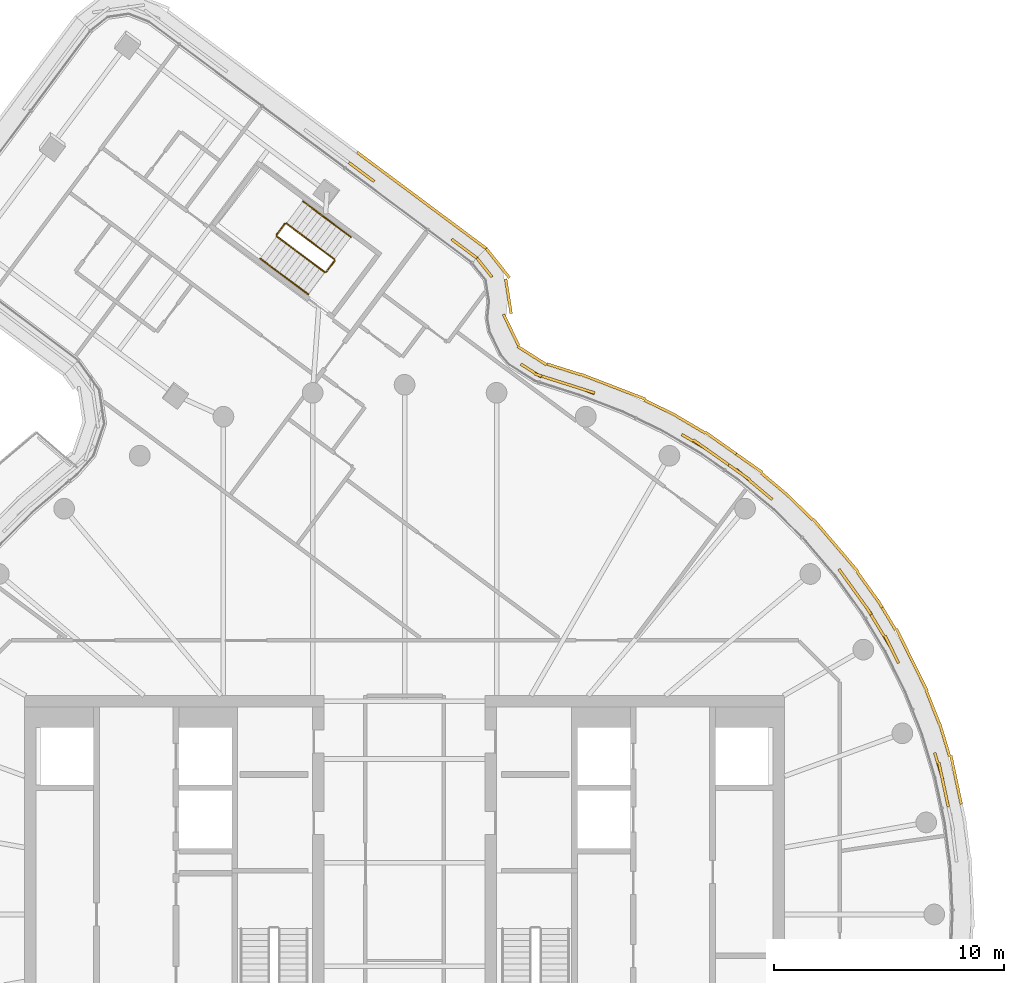
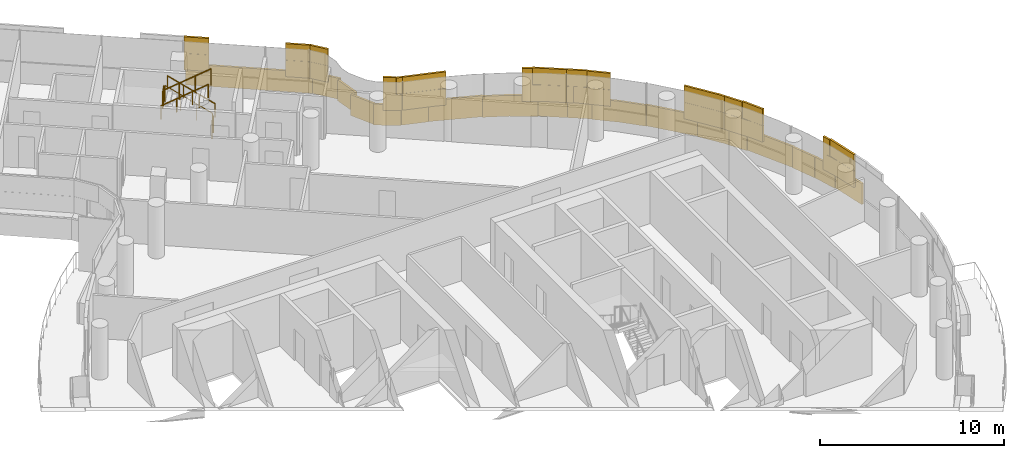
# One storey, part 26 of 27: 6 railings, 5 coverings.
"""IFC4 building model written with IfcOpenShell, lengths in metres."""

from ifc_helpers import new_model, si_unit, direction, frame, origin, origin_2d, place, context, subcontext, project, spatial, rectangle, circle, extrude, material, layer, layer_set, type_object, element, save


model = new_model("IFC4")

# Units and contexts
model_context = context("Model", 3, precision=1e-05, world=origin(), true_north=direction((0.0, 1.0)))
body_context = subcontext(model_context, "Body", "Model", "MODEL_VIEW")
ifc_project = project(units=[si_unit("LENGTHUNIT", "METRE"), si_unit("AREAUNIT", "SQUARE_METRE"), si_unit("VOLUMEUNIT", "CUBIC_METRE"), si_unit("PLANEANGLEUNIT", "RADIAN"), si_unit("MASSUNIT", "GRAM", prefix="KILO")], contexts=[model_context])

# Site, building, storey
site_placement = place(None, origin())
site = spatial("IfcSite", under=ifc_project, at=site_placement, CompositionType="ELEMENT")
building_placement = place(site_placement, origin())
building = spatial("IfcBuilding", under=site, at=building_placement, Name="Tamarind Cross Interchange Tower", CompositionType="ELEMENT")
storey_placement = place(building_placement, frame((0.0, 0.0, 227.10009765625)))
storey = spatial("IfcBuildingStorey", under=building, at=storey_placement, Name="L57", CompositionType="ELEMENT", Elevation=227.10009765625)

# Railings
ifc_material_1 = material(Name="Stair guard")
railing_type_1 = type_object("IfcRailingType", Name="Stair guard", PredefinedType="GUARDRAIL", material=ifc_material_1)
railing_1_placement = place(storey_placement, frame((-3.04736328125, 28.451904296875, 0.16357421875)))
element("IfcRailing", 1, at=railing_1_placement, inside=storey, type_object=railing_type_1, Name="L57 ST4 stair guard 1", PredefinedType="GUARDRAIL", context=body_context, shape_type="SweptSolid", body=[
    extrude(circle(Radius=0.02392578125, at=origin_2d()), frame((0.0, 0.0, 1.076171875), z_axis=(-0.678473827572, 0.505934682713, 0.532638115542), x_axis=(-0.597789105264, -0.80165340742, 0.0)), (0.0, 0.0, 1.0), 3.072021484375),
    extrude(circle(Radius=0.02099609375, at=origin_2d()), origin(), (0.0, 0.0, 1.0), 1.052001953125),
    extrude(circle(Radius=0.02099609375, at=origin_2d()), frame((-0.69482421875, 0.51806640625, 0.54541015625)), (0.0, 0.0, 1.0), 1.052001953125),
    extrude(circle(Radius=0.02099609375, at=origin_2d()), frame((-1.389404296875, 1.0361328125, 1.0908203125)), (0.0, 0.0, 1.0), 1.052001953125),
    extrude(circle(Radius=0.02099609375, at=origin_2d()), frame((-2.084228515625, 1.55419921875, 1.63623046875)), (0.0, 0.0, 1.0), 1.052001953125),
])
railing_2_placement = place(storey_placement, frame((-5.20166015625, 29.99609375, 1.7998046875)))
element("IfcRailing", 2, at=railing_2_placement, inside=storey, type_object=railing_type_1, Name="L57 ST4 stair guard 2", PredefinedType="GUARDRAIL", context=body_context, shape_type="SweptSolid", body=[
    extrude(circle(Radius=0.02392578125, at=origin_2d()), frame((0.0, 0.0, 1.076171875), z_axis=(-0.597783989529, -0.801657222173, 0.0), x_axis=(0.801657222173, -0.597783989529, 0.0)), (0.0, 0.0, 1.0), 0.599853515625),
    extrude(circle(Radius=0.02099609375, at=origin_2d()), origin(), (0.0, 0.0, 1.0), 1.052001953125),
    extrude(circle(Radius=0.02099609375, at=origin_2d()), frame((-0.358642578125, -0.48095703125, 0.0)), (0.0, 0.0, 1.0), 1.052001953125),
])
railing_3_placement = place(storey_placement, frame((-5.550048828125, 29.445068359375, 1.963623046875)))
element("IfcRailing", 3, at=railing_3_placement, inside=storey, type_object=railing_type_1, Name="L57 ST4 stair guard 3", PredefinedType="GUARDRAIL", context=body_context, shape_type="SweptSolid", body=[
    extrude(circle(Radius=0.02392578125, at=origin_2d()), frame((0.0, 0.0, 1.076171875), z_axis=(0.678446546383, -0.505993810568, 0.532616698355), x_axis=(0.597849447038, 0.801608407314, 0.0)), (0.0, 0.0, 1.0), 3.072021484375),
    extrude(circle(Radius=0.02099609375, at=origin_2d()), origin(), (0.0, 0.0, 1.0), 1.052001953125),
    extrude(circle(Radius=0.02099609375, at=origin_2d()), frame((0.69482421875, -0.51806640625, 0.54541015625)), (0.0, 0.0, 1.0), 1.052001953125),
    extrude(circle(Radius=0.02099609375, at=origin_2d()), frame((1.389404296875, -1.036376953125, 1.0908203125)), (0.0, 0.0, 1.0), 1.052001953125),
    extrude(circle(Radius=0.02099609375, at=origin_2d()), frame((2.084228515625, -1.554443359375, 1.63623046875)), (0.0, 0.0, 1.0), 1.052001953125),
])
railing_4_placement = place(storey_placement, frame((-3.037353515625, 28.3818359375, 0.0)))
element("IfcRailing", 4, at=railing_4_placement, inside=storey, type_object=railing_type_1, Name="L57 ST4 stair guard 4", PredefinedType="GUARDRAIL", context=body_context, shape_type="SweptSolid", body=[
    extrude(circle(Radius=0.02392578125, at=origin_2d()), frame((0.0, 0.0, 1.076171875), z_axis=(-0.597783989529, -0.801657222173, 0.0), x_axis=(0.801657222173, -0.597783989529, 0.0)), (0.0, 0.0, 1.0), 0.599853515625),
    extrude(circle(Radius=0.02099609375, at=origin_2d()), origin(), (0.0, 0.0, 1.0), 1.052001953125),
    extrude(circle(Radius=0.02099609375, at=origin_2d()), frame((-0.358642578125, -0.48095703125, 0.0)), (0.0, 0.0, 1.0), 1.052001953125),
])
ifc_material_2 = material(Name="Stair handrail")
railing_type_2 = type_object("IfcRailingType", Name="Stair handrail", PredefinedType="HANDRAIL", material=ifc_material_2)
railing_5_placement = place(storey_placement, frame((-2.330078125, 29.413818359375, 0.16357421875)))
element("IfcRailing", 5, at=railing_5_placement, inside=storey, type_object=railing_type_2, Name="L57 ST4 stair handrail 1", PredefinedType="HANDRAIL", context=body_context, shape_type="SweptSolid", body=[
    extrude(circle(Radius=0.02392578125, at=origin_2d()), frame((0.0, 0.0, 0.8759765625), z_axis=(-0.678473827572, 0.505934682713, 0.532638115542), x_axis=(-0.597789105264, -0.80165340742, 0.0)), (0.0, 0.0, 1.0), 3.072021484375),
    extrude(circle(Radius=0.02099609375, at=origin_2d()), origin(), (0.0, 0.0, 1.0), 0.851806640625),
    extrude(circle(Radius=0.02099609375, at=origin_2d()), frame((-0.69482421875, 0.51806640625, 0.54541015625)), (0.0, 0.0, 1.0), 0.851806640625),
    extrude(circle(Radius=0.02099609375, at=origin_2d()), frame((-1.389404296875, 1.0361328125, 1.0908203125)), (0.0, 0.0, 1.0), 0.851806640625),
    extrude(circle(Radius=0.02099609375, at=origin_2d()), frame((-2.084228515625, 1.55419921875, 1.63623046875)), (0.0, 0.0, 1.0), 0.851806640625),
])
railing_6_placement = place(storey_placement, frame((-6.267578125, 28.483154296875, 1.963623046875)))
element("IfcRailing", 6, at=railing_6_placement, inside=storey, type_object=railing_type_2, Name="L57 ST4 stair handrail 2", PredefinedType="HANDRAIL", context=body_context, shape_type="SweptSolid", body=[
    extrude(circle(Radius=0.02392578125, at=origin_2d()), frame((0.0, 0.0, 0.8759765625), z_axis=(0.678446546383, -0.505993810568, 0.532616698355), x_axis=(0.597849447038, 0.801608407314, 0.0)), (0.0, 0.0, 1.0), 3.072021484375),
    extrude(circle(Radius=0.02099609375, at=origin_2d()), origin(), (0.0, 0.0, 1.0), 0.851806640625),
    extrude(circle(Radius=0.02099609375, at=origin_2d()), frame((0.69482421875, -0.51806640625, 0.54541015625)), (0.0, 0.0, 1.0), 0.851806640625),
    extrude(circle(Radius=0.02099609375, at=origin_2d()), frame((1.389404296875, -1.036376953125, 1.0908203125)), (0.0, 0.0, 1.0), 0.851806640625),
    extrude(circle(Radius=0.02099609375, at=origin_2d()), frame((2.084228515625, -1.554443359375, 1.63623046875)), (0.0, 0.0, 1.0), 0.851806640625),
])

# Coverings
ifc_material_3 = material(Name="Terracotta", Category="masonry")
ifc_layer = layer(ifc_material_3, 0.1201171875)
ifc_layer_set = layer_set([ifc_layer], Name="Terracotta")
covering_type = type_object("IfcCoveringType", Name="Terracotta baguette screen unit", PredefinedType="MOLDING", material=ifc_layer_set)
covering_1_placement = place(storey_placement, origin())
element("IfcCovering", 7, at=covering_1_placement, inside=storey, type_object=covering_type, Name="SCR-L57-02-07", PredefinedType="MOLDING", context=body_context, shape_type="SweptSolid", body=[
    extrude(rectangle(XDim=1.20947265625, YDim=0.1201171875, at=origin_2d()), frame((23.484130859375, 5.262939453125, 1.40380859375), z_axis=(0.0, 0.0, 1.0), x_axis=(-0.209425419705, 0.977824623121, 0.0)), (0.0, 0.0, 1.0), 1.092041015625),
    extrude(rectangle(XDim=1.232177734375, YDim=0.1201171875, at=origin_2d()), frame((23.195068359375, 6.437744140625, 1.40380859375), z_axis=(0.0, 0.0, 1.0), x_axis=(-0.289458243079, 0.957190642199, 0.0)), (0.0, 0.0, 1.0), 1.092041015625),
    extrude(rectangle(XDim=0.587646484375, YDim=0.1201171875, at=origin_2d()), frame((21.323486328125, 11.17041015625, 1.40380859375), z_axis=(0.0, 0.0, 1.0), x_axis=(-0.443058811505, 0.896492548518, 0.0)), (0.0, 0.0, 1.0), 1.092041015625),
    extrude(rectangle(XDim=1.52001953125, YDim=0.1201171875, at=origin_2d()), frame((20.81884765625, 12.07763671875, 1.40380859375), z_axis=(0.0, 0.0, 1.0), x_axis=(-0.515577308909, 0.856843065292, 0.0)), (0.0, 0.0, 1.0), 1.092041015625),
    extrude(rectangle(XDim=0.35400390625, YDim=0.1201171875, at=origin_2d()), frame((20.343505859375, 12.86767578125, 1.40380859375), z_axis=(0.0, 0.0, 1.0), x_axis=(-0.515577308909, 0.856843065292, 0.0)), (0.0, 0.0, 1.0), 1.092041015625),
    extrude(rectangle(XDim=0.45947265625, YDim=0.1201171875, at=origin_2d()), frame((23.5625, 4.896240234375, 2.50390625), z_axis=(0.0, 0.0, 1.0), x_axis=(-0.209425419705, 0.977824623121, 0.0)), (0.0, 0.0, 1.0), 1.092041015625),
    extrude(rectangle(XDim=1.52001953125, YDim=0.1201171875, at=origin_2d()), frame((23.3583984375, 5.849365234375, 2.50390625), z_axis=(0.0, 0.0, 1.0), x_axis=(-0.209425419705, 0.977824623121, 0.0)), (0.0, 0.0, 1.0), 1.092041015625),
    extrude(rectangle(XDim=0.482177734375, YDim=0.1201171875, at=origin_2d()), frame((23.08642578125, 6.796630859375, 2.50390625), z_axis=(0.0, 0.0, 1.0), x_axis=(-0.289458243079, 0.957190642199, 0.0)), (0.0, 0.0, 1.0), 1.092041015625),
    extrude(rectangle(XDim=1.337646484375, YDim=0.1201171875, at=origin_2d()), frame((21.1572265625, 11.506591796875, 2.50390625), z_axis=(0.0, 0.0, 1.0), x_axis=(-0.443058811505, 0.896492548518, 0.0)), (0.0, 0.0, 1.0), 1.092041015625),
    extrude(rectangle(XDim=1.10400390625, YDim=0.1201171875, at=origin_2d()), frame((20.536865234375, 12.54638671875, 2.50390625), z_axis=(0.0, 0.0, 1.0), x_axis=(-0.515577308909, 0.856843065292, 0.0)), (0.0, 0.0, 1.0), 1.092041015625),
    extrude(rectangle(XDim=0.6533203125, YDim=0.1201171875, at=origin_2d()), frame((24.104248046875, 5.107421875, 0.00390625), z_axis=(0.0, 0.0, 1.0), x_axis=(-0.209425419705, 0.977824623121, 0.0)), (0.0, 0.0, 1.0), 1.39208984375),
    extrude(rectangle(XDim=1.52001953125, YDim=0.1201171875, at=origin_2d()), frame((23.880859375, 6.150390625, 0.00390625), z_axis=(0.0, 0.0, 1.0), x_axis=(-0.209425419705, 0.977824623121, 0.0)), (0.0, 0.0, 1.0), 1.39208984375),
    extrude(rectangle(XDim=1.52001953125, YDim=0.1201171875, at=origin_2d()), frame((23.447265625, 7.58642578125, 0.00390625), z_axis=(0.0, 0.0, 1.0), x_axis=(-0.289458243079, 0.957190642199, 0.0)), (0.0, 0.0, 1.0), 1.39208984375),
    extrude(rectangle(XDim=1.52001953125, YDim=0.1201171875, at=origin_2d()), frame((22.9384765625, 8.996337890625, 0.00390625), z_axis=(0.0, 0.0, 1.0), x_axis=(-0.367513773146, 0.930018078613, 0.0)), (0.0, 0.0, 1.0), 1.39208984375),
    extrude(rectangle(XDim=1.52001953125, YDim=0.1201171875, at=origin_2d()), frame((22.355712890625, 10.377197265625, 0.00390625), z_axis=(0.0, 0.0, 1.0), x_axis=(-0.443058811505, 0.896492548518, 0.0)), (0.0, 0.0, 1.0), 1.39208984375),
    extrude(rectangle(XDim=1.52001953125, YDim=0.1201171875, at=origin_2d()), frame((21.691162109375, 11.721923828125, 0.00390625), z_axis=(0.0, 0.0, 1.0), x_axis=(-0.443058811505, 0.896492548518, 0.0)), (0.0, 0.0, 1.0), 1.39208984375),
    extrude(rectangle(XDim=1.125732421875, YDim=0.1201171875, at=origin_2d()), frame((21.028076171875, 12.84326171875, 0.00390625), z_axis=(0.0, 0.0, 1.0), x_axis=(-0.515577308909, 0.856843065292, 0.0)), (0.0, 0.0, 1.0), 1.39208984375),
])
covering_2_placement = place(storey_placement, origin())
element("IfcCovering", 8, at=covering_2_placement, inside=storey, type_object=covering_type, Name="SCR-L57-02-08", PredefinedType="MOLDING", context=body_context, shape_type="SweptSolid", body=[
    extrude(rectangle(XDim=1.166015625, YDim=0.1201171875, at=origin_2d()), frame((19.936767578125, 13.4970703125, 1.40380859375), z_axis=(0.0, 0.0, 1.0), x_axis=(-0.584573890505, 0.811340475102, 0.0)), (0.0, 0.0, 1.0), 1.092041015625),
    extrude(rectangle(XDim=1.275390625, YDim=0.1201171875, at=origin_2d()), frame((19.22900390625, 14.479248046875, 1.40380859375), z_axis=(0.0, 0.0, 1.0), x_axis=(-0.584573890505, 0.811340475102, 0.0)), (0.0, 0.0, 1.0), 1.092041015625),
    extrude(rectangle(XDim=0.544677734375, YDim=0.1201171875, at=origin_2d()), frame((15.754150390625, 18.19580078125, 1.40380859375), z_axis=(0.0, 0.0, 1.0), x_axis=(-0.765858396687, 0.643009266048, 0.0)), (0.0, 0.0, 1.0), 1.092041015625),
    extrude(rectangle(XDim=1.52001953125, YDim=0.1201171875, at=origin_2d()), frame((14.974853515625, 18.85009765625, 1.40380859375), z_axis=(0.0, 0.0, 1.0), x_axis=(-0.765858396687, 0.643009266048, 0.0)), (0.0, 0.0, 1.0), 1.092041015625),
    extrude(rectangle(XDim=0.396728515625, YDim=0.1201171875, at=origin_2d()), frame((14.22216796875, 19.417236328125, 1.40380859375), z_axis=(0.0, 0.0, 1.0), x_axis=(-0.816341886298, 0.577568978284, 0.0)), (0.0, 0.0, 1.0), 1.092041015625),
    extrude(rectangle(XDim=0.416015625, YDim=0.1201171875, at=origin_2d()), frame((20.150146484375, 13.18896484375, 2.50390625), z_axis=(0.0, 0.0, 1.0), x_axis=(-0.515577308909, 0.856843065292, 0.0)), (0.0, 0.0, 1.0), 1.092041015625),
    extrude(rectangle(XDim=1.52001953125, YDim=0.1201171875, at=origin_2d()), frame((19.598876953125, 13.9658203125, 2.50390625), z_axis=(0.0, 0.0, 1.0), x_axis=(-0.584573890505, 0.811340475102, 0.0)), (0.0, 0.0, 1.0), 1.092041015625),
    extrude(rectangle(XDim=0.525390625, YDim=0.1201171875, at=origin_2d()), frame((19.009765625, 14.783447265625, 2.50390625), z_axis=(0.0, 0.0, 1.0), x_axis=(-0.584573890505, 0.811340475102, 0.0)), (0.0, 0.0, 1.0), 1.092041015625),
    extrude(rectangle(XDim=1.294677734375, YDim=0.1201171875, at=origin_2d()), frame((15.466796875, 18.43701171875, 2.50390625), z_axis=(0.0, 0.0, 1.0), x_axis=(-0.765858396687, 0.643009266048, 0.0)), (0.0, 0.0, 1.0), 1.092041015625),
    extrude(rectangle(XDim=1.146728515625, YDim=0.1201171875, at=origin_2d()), frame((14.5283203125, 19.20068359375, 2.50390625), z_axis=(0.0, 0.0, 1.0), x_axis=(-0.816341886298, 0.577568978284, 0.0)), (0.0, 0.0, 1.0), 1.092041015625),
    extrude(rectangle(XDim=0.394287109375, YDim=0.1201171875, at=origin_2d()), frame((20.63623046875, 13.494384765625, 0.00390625), z_axis=(0.0, 0.0, 1.0), x_axis=(-0.515577308909, 0.856843065292, 0.0)), (0.0, 0.0, 1.0), 1.39208984375),
    extrude(rectangle(XDim=1.52001953125, YDim=0.1201171875, at=origin_2d()), frame((20.09521484375, 14.259033203125, 0.00390625), z_axis=(0.0, 0.0, 1.0), x_axis=(-0.584573890505, 0.811340475102, 0.0)), (0.0, 0.0, 1.0), 1.39208984375),
    extrude(rectangle(XDim=1.52001953125, YDim=0.1201171875, at=origin_2d()), frame((19.198486328125, 15.460693359375, 0.00390625), z_axis=(0.0, 0.0, 1.0), x_axis=(-0.64957723968, 0.760295606781, 0.0)), (0.0, 0.0, 1.0), 1.39208984375),
    extrude(rectangle(XDim=1.52001953125, YDim=0.1201171875, at=origin_2d()), frame((18.22412109375, 16.60107421875, 0.00390625), z_axis=(0.0, 0.0, 1.0), x_axis=(-0.64957723968, 0.760295606781, 0.0)), (0.0, 0.0, 1.0), 1.39208984375),
    extrude(rectangle(XDim=1.52001953125, YDim=0.1201171875, at=origin_2d()), frame((17.17333984375, 17.67041015625, 0.00390625), z_axis=(0.0, 0.0, 1.0), x_axis=(-0.710143317658, 0.704057148523, 0.0)), (0.0, 0.0, 1.0), 1.39208984375),
    extrude(rectangle(XDim=1.52001953125, YDim=0.1201171875, at=origin_2d()), frame((16.067626953125, 18.68212890625, 0.00390625), z_axis=(0.0, 0.0, 1.0), x_axis=(-0.765858396687, 0.643009266048, 0.0)), (0.0, 0.0, 1.0), 1.39208984375),
    extrude(rectangle(XDim=1.384033203125, YDim=0.1201171875, at=origin_2d()), frame((14.96484375, 19.594970703125, 0.00390625), z_axis=(0.0, 0.0, 1.0), x_axis=(-0.816341886298, 0.577568978284, 0.0)), (0.0, 0.0, 1.0), 1.39208984375),
])
covering_3_placement = place(storey_placement, origin())
element("IfcCovering", 9, at=covering_3_placement, inside=storey, type_object=covering_type, Name="SCR-L57-02-09", PredefinedType="MOLDING", context=body_context, shape_type="SweptSolid", body=[
    extrude(rectangle(XDim=1.123291015625, YDim=0.1201171875, at=origin_2d()), frame((13.60986328125, 19.850341796875, 1.40380859375), z_axis=(0.0, 0.0, 1.0), x_axis=(-0.816341886298, 0.577568978284, 0.0)), (0.0, 0.0, 1.0), 1.092041015625),
    extrude(rectangle(XDim=1.31005859375, YDim=0.1201171875, at=origin_2d()), frame((12.599609375, 20.508056640625, 1.40380859375), z_axis=(0.0, 0.0, 1.0), x_axis=(-0.861248933065, 0.508183308752, 0.0)), (0.0, 0.0, 1.0), 1.092041015625),
    extrude(rectangle(XDim=0.510009765625, YDim=0.1201171875, at=origin_2d()), frame((8.00830078125, 22.704345703125, 1.40380859375), z_axis=(0.0, 0.0, 1.0), x_axis=(-0.933153439219, 0.359478314887, 0.0)), (0.0, 0.0, 1.0), 1.092041015625),
    extrude(rectangle(XDim=1.52001953125, YDim=0.1201171875, at=origin_2d()), frame((7.061279296875, 23.024169921875, 1.40380859375), z_axis=(0.0, 0.0, 1.0), x_axis=(-0.953132801857, 0.302552246767, 0.0)), (0.0, 0.0, 1.0), 1.092041015625),
    extrude(rectangle(XDim=0.42333984375, YDim=0.1201171875, at=origin_2d()), frame((6.1494140625, 23.313720703125, 1.40380859375), z_axis=(0.0, 0.0, 1.0), x_axis=(-0.953132801857, 0.302552246767, 0.0)), (0.0, 0.0, 1.0), 1.092041015625),
    extrude(rectangle(XDim=0.373291015625, YDim=0.1201171875, at=origin_2d()), frame((13.916015625, 19.6337890625, 2.50390625), z_axis=(0.0, 0.0, 1.0), x_axis=(-0.816341886298, 0.577568978284, 0.0)), (0.0, 0.0, 1.0), 1.092041015625),
    extrude(rectangle(XDim=1.52001953125, YDim=0.1201171875, at=origin_2d()), frame((13.155517578125, 20.171875, 2.50390625), z_axis=(0.0, 0.0, 1.0), x_axis=(-0.816341886298, 0.577568978284, 0.0)), (0.0, 0.0, 1.0), 1.092041015625),
    extrude(rectangle(XDim=0.56005859375, YDim=0.1201171875, at=origin_2d()), frame((12.276611328125, 20.69873046875, 2.50390625), z_axis=(0.0, 0.0, 1.0), x_axis=(-0.861248933065, 0.508183308752, 0.0)), (0.0, 0.0, 1.0), 1.092041015625),
    extrude(rectangle(XDim=1.260009765625, YDim=0.1201171875, at=origin_2d()), frame((7.656982421875, 22.835205078125, 2.50390625), z_axis=(0.0, 0.0, 1.0), x_axis=(-0.953132801857, 0.302552246767, 0.0)), (0.0, 0.0, 1.0), 1.092041015625),
    extrude(rectangle(XDim=1.17333984375, YDim=0.1201171875, at=origin_2d()), frame((6.5068359375, 23.2001953125, 2.50390625), z_axis=(0.0, 0.0, 1.0), x_axis=(-0.953132801857, 0.302552246767, 0.0)), (0.0, 0.0, 1.0), 1.092041015625),
    extrude(rectangle(XDim=0.135986328125, YDim=0.1201171875, at=origin_2d()), frame((14.34423828125, 20.033935546875, 0.00390625), z_axis=(0.0, 0.0, 1.0), x_axis=(-0.816341886298, 0.577568978284, 0.0)), (0.0, 0.0, 1.0), 1.39208984375),
    extrude(rectangle(XDim=1.52001953125, YDim=0.1201171875, at=origin_2d()), frame((13.684814453125, 20.500732421875, 0.00390625), z_axis=(0.0, 0.0, 1.0), x_axis=(-0.816341886298, 0.577568978284, 0.0)), (0.0, 0.0, 1.0), 1.39208984375),
    extrude(rectangle(XDim=1.52001953125, YDim=0.1201171875, at=origin_2d()), frame((12.40869140625, 21.287353515625, 0.00390625), z_axis=(0.0, 0.0, 1.0), x_axis=(-0.861248933065, 0.508183308752, 0.0)), (0.0, 0.0, 1.0), 1.39208984375),
    extrude(rectangle(XDim=1.52001953125, YDim=0.1201171875, at=origin_2d()), frame((11.0927734375, 22.0048828125, 0.00390625), z_axis=(0.0, 0.0, 1.0), x_axis=(-0.900272776334, 0.435326231914, 0.0)), (0.0, 0.0, 1.0), 1.39208984375),
    extrude(rectangle(XDim=1.52001953125, YDim=0.1201171875, at=origin_2d()), frame((9.739990234375, 22.65234375, 0.00390625), z_axis=(0.0, 0.0, 1.0), x_axis=(-0.933153439219, 0.359478314887, 0.0)), (0.0, 0.0, 1.0), 1.39208984375),
    extrude(rectangle(XDim=1.52001953125, YDim=0.1201171875, at=origin_2d()), frame((8.34033203125, 23.191650390625, 0.00390625), z_axis=(0.0, 0.0, 1.0), x_axis=(-0.933153439219, 0.359478314887, 0.0)), (0.0, 0.0, 1.0), 1.39208984375),
    extrude(rectangle(XDim=1.52001953125, YDim=0.1201171875, at=origin_2d()), frame((6.919677734375, 23.67138671875, 0.00390625), z_axis=(0.0, 0.0, 1.0), x_axis=(-0.953132801857, 0.302552246767, 0.0)), (0.0, 0.0, 1.0), 1.39208984375),
])
covering_4_placement = place(storey_placement, origin())
element("IfcCovering", 10, at=covering_4_placement, inside=storey, type_object=covering_type, Name="SCR-L57-02-10", PredefinedType="MOLDING", context=body_context, shape_type="SweptSolid", body=[
    extrude(rectangle(XDim=1.046630859375, YDim=0.1201171875, at=origin_2d()), frame((5.491943359375, 23.616455078125, 1.40380859375), z_axis=(0.0, 0.0, 1.0), x_axis=(-0.844252409429, 0.53594577074, 0.0)), (0.0, 0.0, 1.0), 1.092041015625),
    extrude(rectangle(XDim=0.349853515625, YDim=0.1201171875, at=origin_2d()), frame((3.684814453125, 27.8173828125, 1.40380859375), z_axis=(0.0, 0.0, 1.0), x_axis=(-0.622516771537, 0.782606458672, 0.0)), (0.0, 0.0, 1.0), 1.092041015625),
    extrude(rectangle(XDim=0.716796875, YDim=0.1201171875, at=origin_2d()), frame((3.35888671875, 28.22705078125, 1.40380859375), z_axis=(0.0, 0.0, 1.0), x_axis=(-0.622516771537, 0.782606458672, 0.0)), (0.0, 0.0, 1.0), 1.092041015625),
    extrude(rectangle(XDim=0.3466796875, YDim=0.1201171875, at=origin_2d()), frame((5.7919921875, 23.42724609375, 2.50390625), z_axis=(0.0, 0.0, 1.0), x_axis=(-0.953132801857, 0.302552246767, 0.0)), (0.0, 0.0, 1.0), 1.092041015625),
    extrude(rectangle(XDim=0.719970703125, YDim=0.1201171875, at=origin_2d()), frame((5.349609375, 23.70654296875, 2.50390625), z_axis=(0.0, 0.0, 1.0), x_axis=(-0.844252409429, 0.53594577074, 0.0)), (0.0, 0.0, 1.0), 1.092041015625),
    extrude(rectangle(XDim=1.046630859375, YDim=0.1201171875, at=origin_2d()), frame((3.46484375, 28.093994140625, 2.50390625), z_axis=(0.0, 0.0, 1.0), x_axis=(-0.622516771537, 0.782606458672, 0.0)), (0.0, 0.0, 1.0), 1.092041015625),
    extrude(rectangle(XDim=1.4970703125, YDim=0.1201171875, at=origin_2d()), frame((5.542236328125, 24.26416015625, 0.00390625), z_axis=(0.0, 0.0, 1.0), x_axis=(-0.844252409429, 0.53594577074, 0.0)), (0.0, 0.0, 1.0), 1.39208984375),
    extrude(rectangle(XDim=1.52001953125, YDim=0.1201171875, at=origin_2d()), frame((4.62353515625, 25.38134765625, 0.00390625), z_axis=(0.0, 0.0, 1.0), x_axis=(-0.436316204001, 0.899793404136, 0.0)), (0.0, 0.0, 1.0), 1.39208984375),
    extrude(rectangle(XDim=1.52001953125, YDim=0.1201171875, at=origin_2d()), frame((4.5078125, 26.847412109375, 0.00390625), z_axis=(0.0, 0.0, 1.0), x_axis=(-0.155242640937, 0.987876370015, 0.0)), (0.0, 0.0, 1.0), 1.39208984375),
    extrude(rectangle(XDim=1.52001953125, YDim=0.1201171875, at=origin_2d()), frame((4.07958984375, 28.2431640625, 0.00390625), z_axis=(0.0, 0.0, 1.0), x_axis=(-0.622516771537, 0.782606458672, 0.0)), (0.0, 0.0, 1.0), 1.39208984375),
    extrude(rectangle(XDim=0.123779296875, YDim=0.1201171875, at=origin_2d()), frame((3.580322265625, 28.870849609375, 0.00390625), z_axis=(0.0, 0.0, 1.0), x_axis=(-0.622516771537, 0.782606458672, 0.0)), (0.0, 0.0, 1.0), 1.39208984375),
])
covering_5_placement = place(storey_placement, origin())
element("IfcCovering", 11, at=covering_5_placement, inside=storey, type_object=covering_type, Name="SCR-L57-03-00", PredefinedType="MOLDING", context=body_context, shape_type="SweptSolid", body=[
    extrude(rectangle(XDim=0.760009765625, YDim=0.1201171875, at=origin_2d()), frame((2.83837890625, 28.727783203125, 1.40380859375), z_axis=(0.0, 0.0, 1.0), x_axis=(-0.801617072029, 0.597837829041, 0.0)), (0.0, 0.0, 1.0), 1.092041015625),
    extrude(rectangle(XDim=0.623046875, YDim=0.1201171875, at=origin_2d()), frame((2.292236328125, 29.13525390625, 1.40380859375), z_axis=(0.0, 0.0, 1.0), x_axis=(-0.801617072029, 0.597837829041, 0.0)), (0.0, 0.0, 1.0), 1.092041015625),
    extrude(rectangle(XDim=1.197021484375, YDim=0.1201171875, at=origin_2d()), frame((-1.796142578125, 32.18408203125, 1.40380859375), z_axis=(0.0, 0.0, 1.0), x_axis=(-0.801617072029, 0.597837829041, 0.0)), (0.0, 0.0, 1.0), 1.092041015625),
    extrude(rectangle(XDim=0.185791015625, YDim=0.1201171875, at=origin_2d()), frame((-2.34228515625, 32.591552734375, 1.40380859375), z_axis=(0.0, 0.0, 1.0), x_axis=(-0.801617072029, 0.597837829041, 0.0)), (0.0, 0.0, 1.0), 1.092041015625),
    extrude(rectangle(XDim=1.363037109375, YDim=0.1201171875, at=origin_2d()), frame((2.5927734375, 28.910888671875, 2.50390625), z_axis=(0.0, 0.0, 1.0), x_axis=(-0.801617072029, 0.597837829041, 0.0)), (0.0, 0.0, 1.0), 1.092041015625),
    extrude(rectangle(XDim=0.447021484375, YDim=0.1201171875, at=origin_2d()), frame((-1.49560546875, 31.9599609375, 2.50390625), z_axis=(0.0, 0.0, 1.0), x_axis=(-0.801617072029, 0.597837829041, 0.0)), (0.0, 0.0, 1.0), 1.092041015625),
    extrude(rectangle(XDim=0.935791015625, YDim=0.1201171875, at=origin_2d()), frame((-2.041748046875, 32.367431640625, 2.50390625), z_axis=(0.0, 0.0, 1.0), x_axis=(-0.801617072029, 0.597837829041, 0.0)), (0.0, 0.0, 1.0), 1.092041015625),
    extrude(rectangle(XDim=0.760009765625, YDim=0.1201171875, at=origin_2d()), frame((3.2373046875, 29.146484375, 0.00390625), z_axis=(0.0, 0.0, 1.0), x_axis=(-0.801617072029, 0.597837829041, 0.0)), (0.0, 0.0, 1.0), 1.39208984375),
    extrude(rectangle(XDim=1.52001953125, YDim=0.1201171875, at=origin_2d()), frame((2.33935546875, 29.81591796875, 0.00390625), z_axis=(0.0, 0.0, 1.0), x_axis=(-0.801617072029, 0.597837829041, 0.0)), (0.0, 0.0, 1.0), 1.39208984375),
    extrude(rectangle(XDim=1.52001953125, YDim=0.1201171875, at=origin_2d()), frame((1.136962890625, 30.712646484375, 0.00390625), z_axis=(0.0, 0.0, 1.0), x_axis=(-0.801617072029, 0.597837829041, 0.0)), (0.0, 0.0, 1.0), 1.39208984375),
    extrude(rectangle(XDim=1.52001953125, YDim=0.1201171875, at=origin_2d()), frame((-0.0654296875, 31.609375, 0.00390625), z_axis=(0.0, 0.0, 1.0), x_axis=(-0.801617072029, 0.597837829041, 0.0)), (0.0, 0.0, 1.0), 1.39208984375),
    extrude(rectangle(XDim=1.52001953125, YDim=0.1201171875, at=origin_2d()), frame((-1.267822265625, 32.506103515625, 0.00390625), z_axis=(0.0, 0.0, 1.0), x_axis=(-0.801617072029, 0.597837829041, 0.0)), (0.0, 0.0, 1.0), 1.39208984375),
    extrude(rectangle(XDim=0.2451171875, YDim=0.1201171875, at=origin_2d()), frame((-1.959228515625, 33.02197265625, 0.00390625), z_axis=(0.0, 0.0, 1.0), x_axis=(-0.801617072029, 0.597837829041, 0.0)), (0.0, 0.0, 1.0), 1.39208984375),
])

save(model, "model.ifc")
